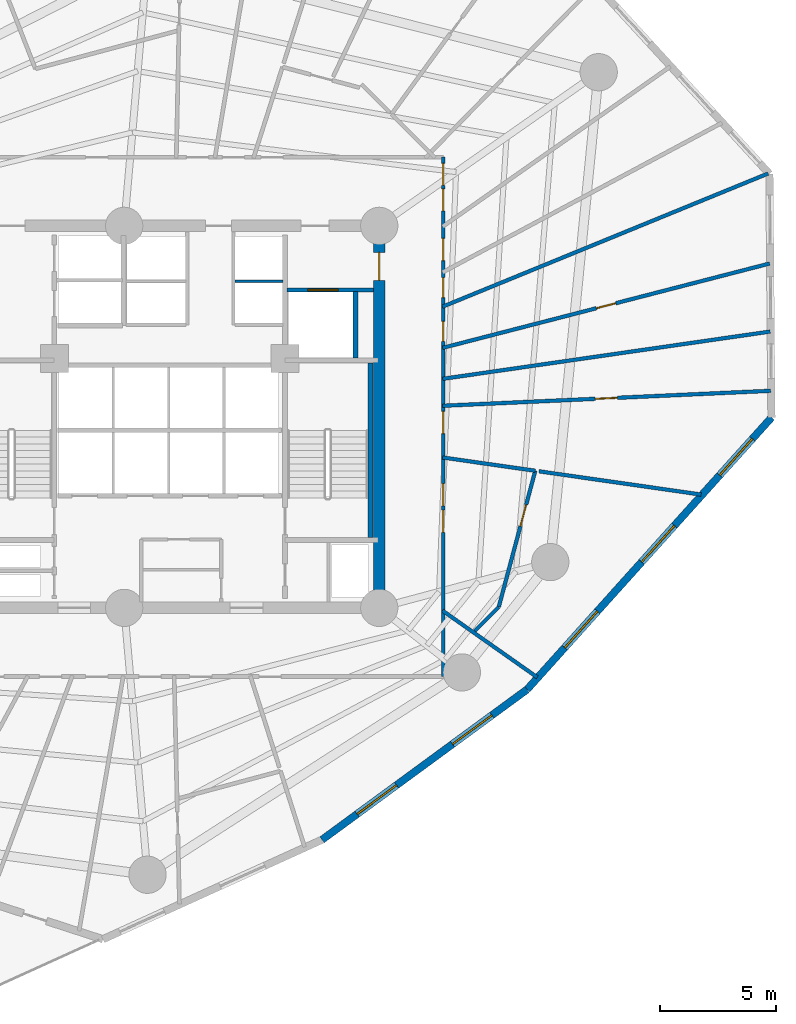
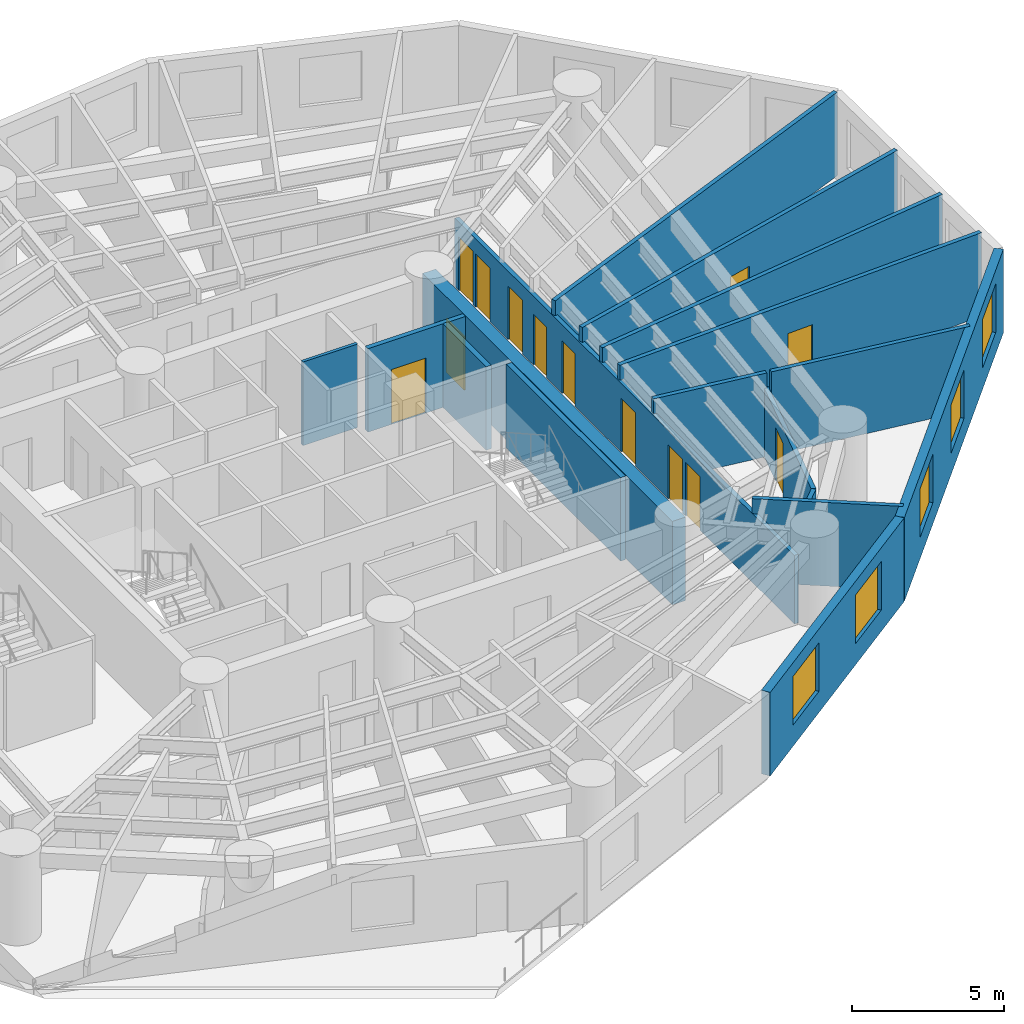
# One storey, part 5 of 9: 17 walls, 13 doors, 5 windows, 18 openings.
"""IFC4 building model written with IfcOpenShell, lengths in metres."""

from ifc_helpers import new_model, si_unit, direction, frame, frame_2d, origin, origin_with_axes, place, context, subcontext, project, spatial, rectangle, extrude, source, transform, mapped, material, layer, layer_set, type_object, element, fill, save


model = new_model("IFC4")

# Units and contexts
model_context = context("Model", 3, precision=1e-05, world=origin(), true_north=direction((0.0, 1.0)))
body_context = subcontext(model_context, "Body", "Model", "MODEL_VIEW")
ifc_project = project(units=[si_unit("LENGTHUNIT", "METRE"), si_unit("AREAUNIT", "SQUARE_METRE"), si_unit("VOLUMEUNIT", "CUBIC_METRE"), si_unit("PLANEANGLEUNIT", "RADIAN"), si_unit("MASSUNIT", "GRAM", prefix="KILO")], contexts=[model_context])

# Site, building, storey
site_placement = place(None, origin())
site = spatial("IfcSite", under=ifc_project, at=site_placement, CompositionType="ELEMENT")
building_placement = place(site_placement, origin())
building = spatial("IfcBuilding", under=site, at=building_placement, Name="Karkom Vertical University and Central Library", CompositionType="ELEMENT")
storey_placement = place(building_placement, frame((0.0, 0.0, 48.10009765625)))
storey = spatial("IfcBuildingStorey", under=building, at=storey_placement, Name="L12", CompositionType="ELEMENT", Elevation=48.10009765625)

# Wall, openings, windows
ifc_material_1 = material(Name="Brick-faced precast concrete C45/55", Category="masonry")
ifc_layer_1 = layer(ifc_material_1, 0.320068359375)
ifc_layer_set_1 = layer_set([ifc_layer_1], Name="Brick-faced precast concrete C45/55")
wall_type_1 = type_object("IfcWallType", Name="ENV-WL-BRK-320", PredefinedType="SOLIDWALL", material=ifc_layer_set_1)
wall_1_placement = place(storey_placement, frame((35.04150390625, 8.342529296875, 0.0), z_axis=(0.0, 0.0, 1.0), x_axis=(0.806545755589, 0.591171670618, 0.0)))
wall_1 = element("IfcWall", 1, at=wall_1_placement, inside=storey, type_object=wall_type_1, Name="Level 12 Brick-Faced Precast Facade Wall 06", PredefinedType="SOLIDWALL", context=body_context, shape_type="SweptSolid", body=[
    extrude(rectangle(XDim=10.916259765625, YDim=0.320068359375, at=frame_2d((5.4580078125, 0.0))), origin(), (0.0, 0.0, 1.0), 3.349853515625),
])
opening_1_placement = place(wall_1_placement, frame((1.868896484375, 0.0, 0.85009765625)))
opening_1 = element("IfcOpeningElement", 2, at=opening_1_placement, cuts=wall_1, Name="Opening WN-03", PredefinedType="OPENING", context=body_context, shape_type="SweptSolid", body=[
    extrude(rectangle(XDim=2.10009765625, YDim=1.949951171875, at=frame_2d((1.050048828125, 0.97509765625))), frame((0.0, 0.169921875, 0.0), z_axis=(0.0, -1.0, 0.0), x_axis=(1.0, 0.0, 0.0)), (0.0, 0.0, 1.0), 0.340087890625),
])
opening_2_placement = place(wall_1_placement, frame((6.947021484375, 0.0, 0.85009765625)))
opening_2 = element("IfcOpeningElement", 3, at=opening_2_placement, cuts=wall_1, Name="Opening WN-03", PredefinedType="OPENING", context=body_context, shape_type="SweptSolid", body=[
    extrude(rectangle(XDim=2.10009765625, YDim=1.949951171875, at=frame_2d((1.050048828125, 0.97509765625))), frame((0.0, 0.169921875, 0.0), z_axis=(0.0, -1.0, 0.0), x_axis=(1.0, 0.0, 0.0)), (0.0, 0.0, 1.0), 0.340087890625),
])
ifc_material_2 = material(Name="Aluminium thermal-break frame with solar-control IGU", Category="aluminium")
window_type = type_object("IfcWindowType", Name="ENV-WIN-WN-03", PartitioningType="SINGLE_PANEL", PredefinedType="WINDOW", material=ifc_material_2)
shared_shape_1 = source(origin_with_axes(), body_context, "Body", "SweptSolid", [
    extrude(rectangle(XDim=2.10009765625, YDim=1.949951171875, at=frame_2d((1.050048828125, 0.97509765625))), frame((0.0, 0.030029296875, 0.0), z_axis=(0.0, -1.0, 0.0), x_axis=(1.0, 0.0, 0.0)), (0.0, 0.0, 1.0), 0.06005859375),
])
window_1_placement = place(opening_1_placement, origin())
window_1 = element("IfcWindow", 4, at=window_1_placement, inside=storey, type_object=window_type, Name="Level 12 Punched Window 6.1", OverallHeight=1.949951171875, OverallWidth=2.10009765625, PartitioningType="SINGLE_PANEL", PredefinedType="WINDOW", context=body_context, shape_type="MappedRepresentation", body=[
    mapped(shared_shape_1, transform((0.0, 0.0, 0.0), scale=1.0)),
])
fill(opening_1, window_1)
window_2_placement = place(opening_2_placement, origin())
window_2 = element("IfcWindow", 5, at=window_2_placement, inside=storey, type_object=window_type, Name="Level 12 Punched Window 6.2", OverallHeight=1.949951171875, OverallWidth=2.10009765625, PartitioningType="SINGLE_PANEL", PredefinedType="WINDOW", context=body_context, shape_type="MappedRepresentation", body=[
    mapped(shared_shape_1, transform((0.0, 0.0, 0.0), scale=1.0)),
])
fill(opening_2, window_2)

wall_2_placement = place(storey_placement, frame((43.845947265625, 14.7958984375, 0.0), z_axis=(0.0, 0.0, 1.0), x_axis=(0.668485145509, 0.743725493871, 0.0)))
wall_2 = element("IfcWall", 6, at=wall_2_placement, inside=storey, type_object=wall_type_1, Name="Level 12 Brick-Faced Precast Facade Wall 07", PredefinedType="SOLIDWALL", context=body_context, shape_type="SweptSolid", body=[
    extrude(rectangle(XDim=15.698486328125, YDim=0.320068359375, at=frame_2d((7.84912109375, 0.0))), origin(), (0.0, 0.0, 1.0), 3.349853515625),
])
opening_3_placement = place(wall_2_placement, frame((2.418701171875, 0.0, 0.85009765625)))
opening_3 = element("IfcOpeningElement", 7, at=opening_3_placement, cuts=wall_2, Name="Opening WN-03", PredefinedType="OPENING", context=body_context, shape_type="SweptSolid", body=[
    extrude(rectangle(XDim=2.10009765625, YDim=1.949951171875, at=frame_2d((1.050048828125, 0.97509765625))), frame((0.0, 0.169921875, 0.0), z_axis=(0.0, -1.0, 0.0), x_axis=(1.0, 0.0, 0.0)), (0.0, 0.0, 1.0), 0.340087890625),
])
opening_4_placement = place(wall_2_placement, frame((7.35986328125, 0.0, 0.85009765625)))
opening_4 = element("IfcOpeningElement", 8, at=opening_4_placement, cuts=wall_2, Name="Opening WN-03", PredefinedType="OPENING", context=body_context, shape_type="SweptSolid", body=[
    extrude(rectangle(XDim=2.10009765625, YDim=1.949951171875, at=frame_2d((1.050048828125, 0.97509765625))), frame((0.0, 0.169921875, 0.0), z_axis=(0.0, -1.0, 0.0), x_axis=(1.0, 0.0, 0.0)), (0.0, 0.0, 1.0), 0.340087890625),
])
opening_5_placement = place(wall_2_placement, frame((12.369384765625, 0.0, 0.85009765625)))
opening_5 = element("IfcOpeningElement", 9, at=opening_5_placement, cuts=wall_2, Name="Opening WN-03", PredefinedType="OPENING", context=body_context, shape_type="SweptSolid", body=[
    extrude(rectangle(XDim=2.10009765625, YDim=1.949951171875, at=frame_2d((1.050048828125, 0.97509765625))), frame((0.0, 0.169921875, 0.0), z_axis=(0.0, -1.0, 0.0), x_axis=(1.0, 0.0, 0.0)), (0.0, 0.0, 1.0), 0.340087890625),
])
window_3_placement = place(opening_3_placement, origin())
window_3 = element("IfcWindow", 10, at=window_3_placement, inside=storey, type_object=window_type, Name="Level 12 Punched Window 7.1", OverallHeight=1.949951171875, OverallWidth=2.10009765625, PartitioningType="SINGLE_PANEL", PredefinedType="WINDOW", context=body_context, shape_type="MappedRepresentation", body=[
    mapped(shared_shape_1, transform((0.0, 0.0, 0.0), scale=1.0)),
])
fill(opening_3, window_3)
window_4_placement = place(opening_4_placement, origin())
window_4 = element("IfcWindow", 11, at=window_4_placement, inside=storey, type_object=window_type, Name="Level 12 Punched Window 7.2", OverallHeight=1.949951171875, OverallWidth=2.10009765625, PartitioningType="SINGLE_PANEL", PredefinedType="WINDOW", context=body_context, shape_type="MappedRepresentation", body=[
    mapped(shared_shape_1, transform((0.0, 0.0, 0.0), scale=1.0)),
])
fill(opening_4, window_4)
window_5_placement = place(opening_5_placement, origin())
window_5 = element("IfcWindow", 12, at=window_5_placement, inside=storey, type_object=window_type, Name="Level 12 Punched Window 7.3", OverallHeight=1.949951171875, OverallWidth=2.10009765625, PartitioningType="SINGLE_PANEL", PredefinedType="WINDOW", context=body_context, shape_type="MappedRepresentation", body=[
    mapped(shared_shape_1, transform((0.0, 0.0, 0.0), scale=1.0)),
])
fill(opening_5, window_5)

# Wall, openings, doors
ifc_material_3 = material(Name="Insulated metal-stud drywall 160mm", Category="gypsum")
ifc_layer_2 = layer(ifc_material_3, 0.159912109375)
ifc_layer_set_2 = layer_set([ifc_layer_2], Name="Insulated metal-stud drywall 160mm")
wall_type_2 = type_object("IfcWallType", Name="INT-WL-COR-160", PredefinedType="PARTITIONING", material=ifc_layer_set_2)
wall_3_placement = place(storey_placement, frame((40.25, 37.64990234375, 0.0), z_axis=(0.0, 0.0, 1.0), x_axis=(0.0, -1.0, 0.0)))
wall_3 = element("IfcWall", 13, at=wall_3_placement, inside=storey, type_object=wall_type_2, Name="Level 12 Interior Partition Wall L12-CORW-CW-004", PredefinedType="PARTITIONING", context=body_context, shape_type="SweptSolid", body=[
    extrude(rectangle(XDim=22.2998046875, YDim=0.159912109375, at=frame_2d((11.14990234375, 0.0))), origin(), (0.0, 0.0, 1.0), 2.75),
])
opening_6_placement = place(wall_3_placement, frame((14.02001953125, 0.0, 0.0)))
opening_6 = element("IfcOpeningElement", 14, at=opening_6_placement, cuts=wall_3, Name="Opening D-RM1", PredefinedType="OPENING", context=body_context, shape_type="SweptSolid", body=[
    extrude(rectangle(XDim=0.949951171875, YDim=2.14990234375, at=frame_2d((0.47509765625, 1.074951171875))), frame((0.0, 0.08984375, 0.0), z_axis=(0.0, -1.0, 0.0), x_axis=(1.0, 0.0, 0.0)), (0.0, 0.0, 1.0), 0.179931640625),
])
opening_7_placement = place(wall_3_placement, frame((10.9150390625, 0.0, 0.0)))
opening_7 = element("IfcOpeningElement", 15, at=opening_7_placement, cuts=wall_3, Name="Opening D-RM1", PredefinedType="OPENING", context=body_context, shape_type="SweptSolid", body=[
    extrude(rectangle(XDim=0.949951171875, YDim=2.14990234375, at=frame_2d((0.47509765625, 1.074951171875))), frame((0.0, 0.08984375, 0.0), z_axis=(0.0, -1.0, 0.0), x_axis=(1.0, 0.0, 0.0)), (0.0, 0.0, 1.0), 0.179931640625),
])
opening_8_placement = place(wall_3_placement, frame((7.050537109375, 0.0, 0.0)))
opening_8 = element("IfcOpeningElement", 16, at=opening_8_placement, cuts=wall_3, Name="Opening D-BATH", PredefinedType="OPENING", context=body_context, shape_type="SweptSolid", body=[
    extrude(rectangle(XDim=0.860107421875, YDim=2.10009765625, at=frame_2d((0.43017578125, 1.050048828125))), frame((0.0, 0.08984375, 0.0), z_axis=(0.0, -1.0, 0.0), x_axis=(1.0, 0.0, 0.0)), (0.0, 0.0, 1.0), 0.179931640625),
])
opening_9_placement = place(wall_3_placement, frame((3.489990234375, 0.0, 0.0)))
opening_9 = element("IfcOpeningElement", 17, at=opening_9_placement, cuts=wall_3, Name="Opening D-RM1", PredefinedType="OPENING", context=body_context, shape_type="SweptSolid", body=[
    extrude(rectangle(XDim=0.949951171875, YDim=2.14990234375, at=frame_2d((0.47509765625, 1.074951171875))), frame((0.0, 0.08984375, 0.0), z_axis=(0.0, -1.0, 0.0), x_axis=(1.0, 0.0, 0.0)), (0.0, 0.0, 1.0), 0.179931640625),
])
opening_10_placement = place(wall_3_placement, frame((1.360107421875, 0.0, 0.0)))
opening_10 = element("IfcOpeningElement", 18, at=opening_10_placement, cuts=wall_3, Name="Opening D-RM1", PredefinedType="OPENING", context=body_context, shape_type="SweptSolid", body=[
    extrude(rectangle(XDim=0.949951171875, YDim=2.14990234375, at=frame_2d((0.47509765625, 1.074951171875))), frame((0.0, 0.08984375, 0.0), z_axis=(0.0, -1.0, 0.0), x_axis=(1.0, 0.0, 0.0)), (0.0, 0.0, 1.0), 0.179931640625),
])
opening_11_placement = place(wall_3_placement, frame((0.2626953125, 0.0, 0.0)))
opening_11 = element("IfcOpeningElement", 19, at=opening_11_placement, cuts=wall_3, Name="Opening D-RM1", PredefinedType="OPENING", context=body_context, shape_type="SweptSolid", body=[
    extrude(rectangle(XDim=0.949951171875, YDim=2.14990234375, at=frame_2d((0.47509765625, 1.074951171875))), frame((0.0, 0.08984375, 0.0), z_axis=(0.0, -1.0, 0.0), x_axis=(1.0, 0.0, 0.0)), (0.0, 0.0, 1.0), 0.179931640625),
])
opening_12_placement = place(wall_3_placement, frame((15.154541015625, 0.0, 0.0)))
opening_12 = element("IfcOpeningElement", 20, at=opening_12_placement, cuts=wall_3, Name="Opening D-RM1", PredefinedType="OPENING", context=body_context, shape_type="SweptSolid", body=[
    extrude(rectangle(XDim=0.949951171875, YDim=2.14990234375, at=frame_2d((0.47509765625, 1.074951171875))), frame((0.0, 0.08984375, 0.0), z_axis=(0.0, -1.0, 0.0), x_axis=(1.0, 0.0, 0.0)), (0.0, 0.0, 1.0), 0.179931640625),
])
opening_13_placement = place(wall_3_placement, frame((5.170166015625, 0.0, 0.0)))
opening_13 = element("IfcOpeningElement", 21, at=opening_13_placement, cuts=wall_3, Name="Opening FD-BTH2", PredefinedType="OPENING", context=body_context, shape_type="SweptSolid", body=[
    extrude(rectangle(XDim=0.860107421875, YDim=2.0400390625, at=frame_2d((0.43017578125, 1.02001953125))), frame((0.0, 0.08984375, 0.0), z_axis=(0.0, -1.0, 0.0), x_axis=(1.0, 0.0, 0.0)), (0.0, 0.0, 1.0), 0.179931640625),
])
ifc_material_4 = material(Name="Fire-rated moisture-resistant oak door", Category="wood")
door_type_1 = type_object("IfcDoorType", Name="INT-DR-FBTH2", OperationType="NOTDEFINED", PredefinedType="DOOR", material=ifc_material_4)
shared_shape_2 = source(origin_with_axes(), body_context, "Body", "SweptSolid", [
    extrude(rectangle(XDim=0.860107421875, YDim=2.0400390625, at=frame_2d((0.43017578125, 1.02001953125))), frame((0.0, 0.02490234375, 0.0), z_axis=(0.0, -1.0, 0.0), x_axis=(1.0, 0.0, 0.0)), (0.0, 0.0, 1.0), 0.050048828125),
])
door_1_placement = place(opening_13_placement, origin())
door_1 = element("IfcDoor", 22, at=door_1_placement, inside=storey, type_object=door_type_1, Name="Level 12 Departmental Reference Reading Library Entry Door", OperationType="SINGLE_SWING_LEFT", OverallHeight=2.0400390625, OverallWidth=0.860107421875, PredefinedType="DOOR", context=body_context, shape_type="MappedRepresentation", body=[
    mapped(shared_shape_2, transform((0.0, 0.0, 0.0), scale=1.0)),
])
fill(opening_13, door_1)
ifc_material_5 = material(Name="Moisture-resistant oak door", Category="wood")
door_type_2 = type_object("IfcDoorType", Name="INT-DR-BATH", OperationType="NOTDEFINED", PredefinedType="DOOR", material=ifc_material_5)
shared_shape_3 = source(origin_with_axes(), body_context, "Body", "SweptSolid", [
    extrude(rectangle(XDim=0.860107421875, YDim=2.10009765625, at=frame_2d((0.43017578125, 1.050048828125))), frame((0.0, 0.02490234375, 0.0), z_axis=(0.0, -1.0, 0.0), x_axis=(1.0, 0.0, 0.0)), (0.0, 0.0, 1.0), 0.050048828125),
])
door_2_placement = place(opening_8_placement, origin())
door_2 = element("IfcDoor", 23, at=door_2_placement, inside=storey, type_object=door_type_2, Name="Level 12 Room Entry Door 150", OperationType="SINGLE_SWING_RIGHT", OverallHeight=2.10009765625, OverallWidth=0.860107421875, PredefinedType="DOOR", context=body_context, shape_type="MappedRepresentation", body=[
    mapped(shared_shape_3, transform((0.0, 0.0, 0.0), scale=1.0)),
])
fill(opening_8, door_2)
ifc_material_6 = material(Name="Solid-core oak veneer door", Category="wood")
door_type_3 = type_object("IfcDoorType", Name="INT-DR-RM1", OperationType="NOTDEFINED", PredefinedType="DOOR", material=ifc_material_6)
shared_shape_4 = source(origin_with_axes(), body_context, "Body", "SweptSolid", [
    extrude(rectangle(XDim=0.949951171875, YDim=2.14990234375, at=frame_2d((0.47509765625, 1.074951171875))), frame((0.0, 0.02490234375, 0.0), z_axis=(0.0, -1.0, 0.0), x_axis=(1.0, 0.0, 0.0)), (0.0, 0.0, 1.0), 0.050048828125),
])
door_3_placement = place(opening_6_placement, origin())
door_3 = element("IfcDoor", 24, at=door_3_placement, inside=storey, type_object=door_type_3, Name="Level 12 Room Entry Door 110", OperationType="SINGLE_SWING_RIGHT", OverallHeight=2.14990234375, OverallWidth=0.949951171875, PredefinedType="DOOR", context=body_context, shape_type="MappedRepresentation", body=[
    mapped(shared_shape_4, transform((0.0, 0.0, 0.0), scale=1.0)),
])
fill(opening_6, door_3)
door_4_placement = place(opening_7_placement, origin())
door_4 = element("IfcDoor", 25, at=door_4_placement, inside=storey, type_object=door_type_3, Name="Level 12 Room Entry Door 130", OperationType="SINGLE_SWING_LEFT", OverallHeight=2.14990234375, OverallWidth=0.949951171875, PredefinedType="DOOR", context=body_context, shape_type="MappedRepresentation", body=[
    mapped(shared_shape_4, transform((0.0, 0.0, 0.0), scale=1.0)),
])
fill(opening_7, door_4)
door_5_placement = place(opening_9_placement, origin())
door_5 = element("IfcDoor", 26, at=door_5_placement, inside=storey, type_object=door_type_3, Name="Level 12 Room Entry Door 160", OperationType="SINGLE_SWING_LEFT", OverallHeight=2.14990234375, OverallWidth=0.949951171875, PredefinedType="DOOR", context=body_context, shape_type="MappedRepresentation", body=[
    mapped(shared_shape_4, transform((0.0, 0.0, 0.0), scale=1.0)),
])
fill(opening_9, door_5)
door_6_placement = place(opening_10_placement, origin())
door_6 = element("IfcDoor", 27, at=door_6_placement, inside=storey, type_object=door_type_3, Name="Level 12 Room Entry Door 170", OperationType="SINGLE_SWING_RIGHT", OverallHeight=2.14990234375, OverallWidth=0.949951171875, PredefinedType="DOOR", context=body_context, shape_type="MappedRepresentation", body=[
    mapped(shared_shape_4, transform((0.0, 0.0, 0.0), scale=1.0)),
])
fill(opening_10, door_6)
door_7_placement = place(opening_11_placement, origin())
door_7 = element("IfcDoor", 28, at=door_7_placement, inside=storey, type_object=door_type_3, Name="Level 12 Room Entry Door 180", OperationType="SINGLE_SWING_LEFT", OverallHeight=2.14990234375, OverallWidth=0.949951171875, PredefinedType="DOOR", context=body_context, shape_type="MappedRepresentation", body=[
    mapped(shared_shape_4, transform((0.0, 0.0, 0.0), scale=1.0)),
])
fill(opening_11, door_7)
door_8_placement = place(opening_12_placement, origin())
door_8 = element("IfcDoor", 29, at=door_8_placement, inside=storey, type_object=door_type_3, Name="Level 12 Room Entry Door 190", OperationType="SINGLE_SWING_RIGHT", OverallHeight=2.14990234375, OverallWidth=0.949951171875, PredefinedType="DOOR", context=body_context, shape_type="MappedRepresentation", body=[
    mapped(shared_shape_4, transform((0.0, 0.0, 0.0), scale=1.0)),
])
fill(opening_12, door_8)

# Wall
wall_4_placement = place(storey_placement, frame((40.208251953125, 31.2255859375, 0.0), z_axis=(0.0, 0.0, 1.0), x_axis=(0.925535120156, 0.378661776995, 0.0)))
element("IfcWall", 30, at=wall_4_placement, inside=storey, type_object=wall_type_2, Name="Level 12 Interior Partition Wall L12-PW-021", PredefinedType="PARTITIONING", context=body_context, shape_type="SweptSolid", body=[
    extrude(rectangle(XDim=15.11474609375, YDim=0.159912109375, at=frame_2d((7.557373046875, 0.0))), origin(), (0.0, 0.0, 1.0), 3.349853515625),
])

# Wall, opening, door
wall_5_placement = place(storey_placement, frame((40.220947265625, 29.461669921875, 0.0), z_axis=(0.0, 0.0, 1.0), x_axis=(0.968302425426, 0.249780729667, 0.0)))
wall_5 = element("IfcWall", 31, at=wall_5_placement, inside=storey, type_object=wall_type_2, Name="Level 12 Interior Partition Wall L12-PW-020", PredefinedType="PARTITIONING", context=body_context, shape_type="SweptSolid", body=[
    extrude(rectangle(XDim=14.49609375, YDim=0.159912109375, at=frame_2d((7.248046875, 0.0))), origin(), (0.0, 0.0, 1.0), 3.349853515625),
])
opening_14_placement = place(wall_5_placement, frame((6.818115234375, 0.0, 0.0)))
opening_14 = element("IfcOpeningElement", 32, at=opening_14_placement, cuts=wall_5, Name="Opening FD-BTH2", PredefinedType="OPENING", context=body_context, shape_type="SweptSolid", body=[
    extrude(rectangle(XDim=0.860107421875, YDim=2.0400390625, at=frame_2d((0.43017578125, 1.02001953125))), frame((0.0, 0.08984375, 0.0), z_axis=(0.0, -1.0, 0.0), x_axis=(1.0, 0.0, 0.0)), (0.0, 0.0, 1.0), 0.179931640625),
])
door_9_placement = place(opening_14_placement, origin())
door_9 = element("IfcDoor", 33, at=door_9_placement, inside=storey, type_object=door_type_1, Name="Level 12 Faculty Consultation and Research Office Entry Door", OperationType="SINGLE_SWING_RIGHT", OverallHeight=2.0400390625, OverallWidth=0.860107421875, PredefinedType="DOOR", context=body_context, shape_type="MappedRepresentation", body=[
    mapped(shared_shape_2, transform((0.0, 0.0, 0.0), scale=1.0)),
])
fill(opening_14, door_9)

# Wall
wall_6_placement = place(storey_placement, frame((40.22021484375, 28.1318359375, 0.0), z_axis=(0.0, 0.0, 1.0), x_axis=(0.989733920752, 0.142922237992, 0.0)))
element("IfcWall", 34, at=wall_6_placement, inside=storey, type_object=wall_type_2, Name="Level 12 Interior Partition Wall L12-PW-019", PredefinedType="PARTITIONING", context=body_context, shape_type="SweptSolid", body=[
    extrude(rectangle(XDim=14.208740234375, YDim=0.159912109375, at=frame_2d((7.1044921875, 0.0))), origin(), (0.0, 0.0, 1.0), 3.349853515625),
])

# Wall, opening, door
wall_7_placement = place(storey_placement, frame((40.219970703125, 26.9755859375, 0.0), z_axis=(0.0, 0.0, 1.0), x_axis=(0.998957874031, 0.045641712413, 0.0)))
wall_7 = element("IfcWall", 35, at=wall_7_placement, inside=storey, type_object=wall_type_2, Name="Level 12 Interior Partition Wall L12-PW-018", PredefinedType="PARTITIONING", context=body_context, shape_type="SweptSolid", body=[
    extrude(rectangle(XDim=14.10009765625, YDim=0.159912109375, at=frame_2d((7.050048828125, 0.0))), origin(), (0.0, 0.0, 1.0), 3.349853515625),
])
opening_15_placement = place(wall_7_placement, frame((6.5576171875, 0.0, 0.0)))
opening_15 = element("IfcOpeningElement", 36, at=opening_15_placement, cuts=wall_7, Name="Opening D-RM1", PredefinedType="OPENING", context=body_context, shape_type="SweptSolid", body=[
    extrude(rectangle(XDim=0.949951171875, YDim=2.14990234375, at=frame_2d((0.47509765625, 1.074951171875))), frame((0.0, 0.08984375, 0.0), z_axis=(0.0, -1.0, 0.0), x_axis=(1.0, 0.0, 0.0)), (0.0, 0.0, 1.0), 0.179931640625),
])
door_10_placement = place(opening_15_placement, origin())
door_10 = element("IfcDoor", 37, at=door_10_placement, inside=storey, type_object=door_type_3, Name="Level 12 Room Entry Door 140", OperationType="SINGLE_SWING_RIGHT", OverallHeight=2.14990234375, OverallWidth=0.949951171875, PredefinedType="DOOR", context=body_context, shape_type="MappedRepresentation", body=[
    mapped(shared_shape_4, transform((0.0, 0.0, 0.0), scale=1.0)),
])
fill(opening_15, door_10)

# Wall
wall_8_placement = place(storey_placement, frame((44.356689453125, 24.16357421875, 0.0), z_axis=(0.0, 0.0, 1.0), x_axis=(0.989857654875, -0.142062743483, 0.0)))
element("IfcWall", 38, at=wall_8_placement, inside=storey, type_object=wall_type_2, Name="Level 12 Interior Partition Wall L12-PW-017", PredefinedType="PARTITIONING", context=body_context, shape_type="SweptSolid", body=[
    extrude(rectangle(XDim=7.033935546875, YDim=0.159912109375, at=frame_2d((3.51708984375, 0.0))), origin(), (0.0, 0.0, 1.0), 3.349853515625),
])

# Wall, opening, door
wall_9_placement = place(storey_placement, frame((44.197265625, 24.1865234375, 0.0), z_axis=(0.0, 0.0, 1.0), x_axis=(-0.258810027393, -0.965928242532, 0.0)))
wall_9 = element("IfcWall", 39, at=wall_9_placement, inside=storey, type_object=wall_type_2, Name="Level 12 Interior Partition Wall L12-PW-014", PredefinedType="PARTITIONING", context=body_context, shape_type="SweptSolid", body=[
    extrude(rectangle(XDim=6.051513671875, YDim=0.159912109375, at=frame_2d((3.02587890625, 0.0))), origin(), (0.0, 0.0, 1.0), 2.75),
])
opening_16_placement = place(wall_9_placement, frame((1.5107421875, 0.0, 0.0)))
opening_16 = element("IfcOpeningElement", 40, at=opening_16_placement, cuts=wall_9, Name="Opening D-RM1", PredefinedType="OPENING", context=body_context, shape_type="SweptSolid", body=[
    extrude(rectangle(XDim=0.949951171875, YDim=2.14990234375, at=frame_2d((0.47509765625, 1.074951171875))), frame((0.0, 0.08984375, 0.0), z_axis=(0.0, -1.0, 0.0), x_axis=(1.0, 0.0, 0.0)), (0.0, 0.0, 1.0), 0.179931640625),
])
door_11_placement = place(opening_16_placement, origin())
door_11 = element("IfcDoor", 41, at=door_11_placement, inside=storey, type_object=door_type_3, Name="Level 12 Room Entry Door 120", OperationType="SINGLE_SWING_LEFT", OverallHeight=2.14990234375, OverallWidth=0.949951171875, PredefinedType="DOOR", context=body_context, shape_type="MappedRepresentation", body=[
    mapped(shared_shape_4, transform((0.0, 0.0, 0.0), scale=1.0)),
])
fill(opening_16, door_11)

# Walls
wall_10_placement = place(storey_placement, frame((40.213134765625, 18.18408203125, 0.0), z_axis=(0.0, 0.0, 1.0), x_axis=(0.817839768115, -0.575446012836, 0.0)))
element("IfcWall", 42, at=wall_10_placement, inside=storey, type_object=wall_type_2, Name="Level 12 Interior Partition Wall L12-PW-013", PredefinedType="PARTITIONING", context=body_context, shape_type="SweptSolid", body=[
    extrude(rectangle(XDim=4.9765625, YDim=0.159912109375, at=frame_2d((2.48828125, 0.0))), origin(), (0.0, 0.0, 1.0), 3.349853515625),
])
wall_11_placement = place(storey_placement, frame((40.22021484375, 24.75732421875, 0.0), z_axis=(0.0, 0.0, 1.0), x_axis=(0.989856920195, -0.142067862456, 0.0)))
element("IfcWall", 43, at=wall_11_placement, inside=storey, type_object=wall_type_2, Name="Level 12 Interior Partition Wall L12-PW-016", PredefinedType="PARTITIONING", context=body_context, shape_type="SweptSolid", body=[
    extrude(rectangle(XDim=4.017822265625, YDim=0.159912109375, at=frame_2d((2.0087890625, 0.0))), origin(), (0.0, 0.0, 1.0), 3.349853515625),
])
wall_12_placement = place(storey_placement, frame((42.631103515625, 18.34130859375, 0.0), z_axis=(0.0, 0.0, 1.0), x_axis=(-0.707190705793, -0.707022846618, 0.0)))
element("IfcWall", 44, at=wall_12_placement, inside=storey, type_object=wall_type_2, Name="Level 12 Interior Partition Wall L12-PW-015", PredefinedType="PARTITIONING", context=body_context, shape_type="SweptSolid", body=[
    extrude(rectangle(XDim=1.454345703125, YDim=0.159912109375, at=frame_2d((0.72705078125, 0.0))), origin(), (0.0, 0.0, 1.0), 2.75),
])
ifc_material_7 = material(Name="Moisture-resistant drywall 120mm", Category="gypsum")
ifc_layer_3 = layer(ifc_material_7, 0.1201171875)
ifc_layer_set_3 = layer_set([ifc_layer_3], Name="Moisture-resistant drywall 120mm")
wall_type_3 = type_object("IfcWallType", Name="INT-WL-INT-120H", PredefinedType="PARTITIONING", material=ifc_layer_set_3)
wall_13_placement = place(storey_placement, frame((31.300048828125, 32.320068359375, 0.0), z_axis=(0.0, 0.0, 1.0), x_axis=(1.0, 0.0, 0.0)))
element("IfcWall", 45, at=wall_13_placement, inside=storey, type_object=wall_type_3, Name="Level 12 Interior Partition Wall L12-CW-PH-ME", PredefinedType="PARTITIONING", context=body_context, shape_type="SweptSolid", body=[
    extrude(rectangle(XDim=2.074951171875, YDim=0.1201171875, at=frame_2d((1.03759765625, 0.0))), origin(), (0.0, 0.0, 1.0), 3.349853515625),
])

# Wall, opening, door
ifc_material_8 = material(Name="Twin-stud acoustic drywall 180mm", Category="gypsum")
ifc_layer_4 = layer(ifc_material_8, 0.179931640625)
ifc_layer_set_4 = layer_set([ifc_layer_4], Name="Twin-stud acoustic drywall 180mm")
wall_type_4 = type_object("IfcWallType", Name="INT-WL-TEN-180F", PredefinedType="PARTITIONING", material=ifc_layer_set_4)
wall_14_placement = place(storey_placement, frame((33.534912109375, 31.949951171875, 0.0), z_axis=(0.0, 0.0, 1.0), x_axis=(1.0, 0.0, 0.0)))
wall_14 = element("IfcWall", 46, at=wall_14_placement, inside=storey, type_object=wall_type_4, Name="Level 12 Interior Partition Wall L12-CW-SVL-N", PredefinedType="PARTITIONING", context=body_context, shape_type="SweptSolid", body=[
    extrude(rectangle(XDim=3.708740234375, YDim=0.179931640625, at=frame_2d((1.8544921875, 0.0))), origin(), (0.0, 0.0, 1.0), 3.349853515625),
])
opening_17_placement = place(wall_14_placement, frame((0.89990234375, 0.0, 0.0)))
opening_17 = element("IfcOpeningElement", 47, at=opening_17_placement, cuts=wall_14, Name="Opening LD-SV1", PredefinedType="OPENING", context=body_context, shape_type="SweptSolid", body=[
    extrude(rectangle(XDim=1.300048828125, YDim=2.199951171875, at=frame_2d((0.64990234375, 1.10009765625))), frame((0.0, 0.10009765625, 0.0), z_axis=(0.0, -1.0, 0.0), x_axis=(1.0, 0.0, 0.0)), (0.0, 0.0, 1.0), 0.199951171875),
])
ifc_material_9 = material(Name="Brushed stainless-steel landing door", Category="steel")
door_type_4 = type_object("IfcDoorType", Name="INT-DR-LD-SV1", OperationType="SLIDING_TO_LEFT", PredefinedType="DOOR", material=ifc_material_9)
shared_shape_5 = source(origin_with_axes(), body_context, "Body", "SweptSolid", [
    extrude(rectangle(XDim=1.300048828125, YDim=2.199951171875, at=frame_2d((0.64990234375, 1.10009765625))), frame((0.0, 0.02490234375, 0.0), z_axis=(0.0, -1.0, 0.0), x_axis=(1.0, 0.0, 0.0)), (0.0, 0.0, 1.0), 0.050048828125),
])
door_12_placement = place(opening_17_placement, origin())
door_12 = element("IfcDoor", 48, at=door_12_placement, inside=storey, type_object=door_type_4, Name="Level 12 Service Lift Landing Door LD-SV1", OperationType="SLIDING_TO_LEFT", OverallHeight=2.199951171875, OverallWidth=1.300048828125, PredefinedType="DOOR", context=body_context, shape_type="MappedRepresentation", body=[
    mapped(shared_shape_5, transform((0.0, 0.0, 0.0), scale=1.0)),
])
fill(opening_17, door_12)

ifc_material_10 = material(Name="Concrete C50/60", Category="concrete")
ifc_layer_5 = layer(ifc_material_10, 0.5)
ifc_layer_set_5 = layer_set([ifc_layer_5], Name="Concrete C50/60")
wall_type_5 = type_object("IfcWallType", Name="STR-WL-CW-500", PredefinedType="SHEAR", material=ifc_layer_set_5)
wall_15_placement = place(storey_placement, frame((37.5, 18.300048828125, 0.0), z_axis=(0.0, 0.0, 1.0), x_axis=(0.0, 1.0, 0.0)))
wall_15 = element("IfcWall", 49, at=wall_15_placement, inside=storey, type_object=wall_type_5, Name="Level 12 Central Core Shear Wall EW", PredefinedType="SHEAR", context=body_context, shape_type="SweptSolid", body=[
    extrude(rectangle(XDim=16.39990234375, YDim=0.5, at=frame_2d((8.199951171875, 0.0))), origin(), (0.0, 0.0, 1.0), 3.349853515625),
])
opening_18_placement = place(wall_15_placement, frame((14.06005859375, 0.0, 0.0)))
opening_18 = element("IfcOpeningElement", 50, at=opening_18_placement, cuts=wall_15, Name="Opening FD-SUB1", PredefinedType="OPENING", context=body_context, shape_type="SweptSolid", body=[
    extrude(rectangle(XDim=1.199951171875, YDim=2.14990234375, at=frame_2d((0.60009765625, 1.074951171875))), frame((0.0, 0.260009765625, 0.0), z_axis=(0.0, -1.0, 0.0), x_axis=(1.0, 0.0, 0.0)), (0.0, 0.0, 1.0), 0.52001953125),
])
ifc_material_11 = material(Name="Painted steel fire door", Category="steel")
door_type_5 = type_object("IfcDoorType", Name="INT-DR-SUB1", OperationType="NOTDEFINED", PredefinedType="DOOR", material=ifc_material_11)
shared_shape_6 = source(origin_with_axes(), body_context, "Body", "SweptSolid", [
    extrude(rectangle(XDim=1.199951171875, YDim=2.14990234375, at=frame_2d((0.60009765625, 1.074951171875))), frame((0.0, 0.02490234375, 0.0), z_axis=(0.0, -1.0, 0.0), x_axis=(1.0, 0.0, 0.0)), (0.0, 0.0, 1.0), 0.050048828125),
])
door_13_placement = place(opening_18_placement, origin())
door_13 = element("IfcDoor", 51, at=door_13_placement, inside=storey, type_object=door_type_5, Name="Level 12 East Corridor Service Lobby Door", OperationType="SINGLE_SWING_LEFT", OverallHeight=2.14990234375, OverallWidth=1.199951171875, PredefinedType="DOOR", context=body_context, shape_type="MappedRepresentation", body=[
    mapped(shared_shape_6, transform((0.0, 0.0, 0.0), scale=1.0)),
])
fill(opening_18, door_13)

# Walls
ifc_material_12 = material(Name="Concrete C45/55", Category="concrete")
ifc_layer_6 = layer(ifc_material_12, 0.199951171875)
ifc_layer_set_6 = layer_set([ifc_layer_6], Name="Concrete C45/55")
wall_type_6 = type_object("IfcWallType", Name="STR-WL-ST-200", PredefinedType="SHEAR", material=ifc_layer_set_6)
wall_16_placement = place(storey_placement, frame((37.125, 21.320068359375, 0.0), z_axis=(0.0, 0.0, 1.0), x_axis=(0.0, 1.0, 0.0)))
element("IfcWall", 52, at=wall_16_placement, inside=storey, type_object=wall_type_6, Name="Level 12 Core Shaft Wall L12-CW-ST2-E", PredefinedType="SHEAR", context=body_context, shape_type="SweptSolid", body=[
    extrude(rectangle(XDim=7.5, YDim=0.199951171875, at=frame_2d((3.75, 0.0))), origin(), (0.0, 0.0, 1.0), 3.349853515625),
])
wall_17_placement = place(storey_placement, frame((36.47998046875, 29.02001953125, 0.0), z_axis=(0.0, 0.0, 1.0), x_axis=(0.0, 1.0, 0.0)))
element("IfcWall", 53, at=wall_17_placement, inside=storey, type_object=wall_type_6, Name="Level 12 Core Shaft Wall L12-CW-SVL-E", PredefinedType="SHEAR", context=body_context, shape_type="SweptSolid", body=[
    extrude(rectangle(XDim=2.85986328125, YDim=0.199951171875, at=frame_2d((1.429931640625, 0.0))), origin(), (0.0, 0.0, 1.0), 3.349853515625),
])

save(model, "model.ifc")
